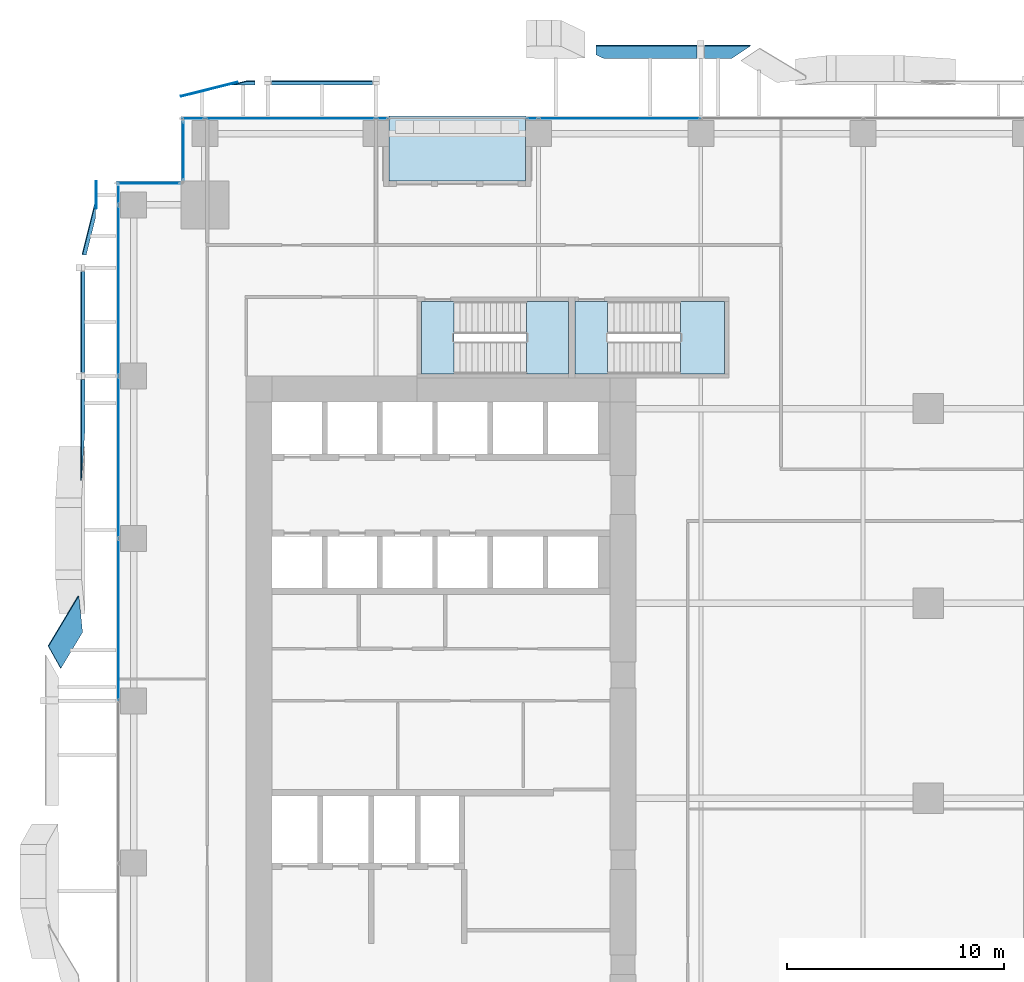
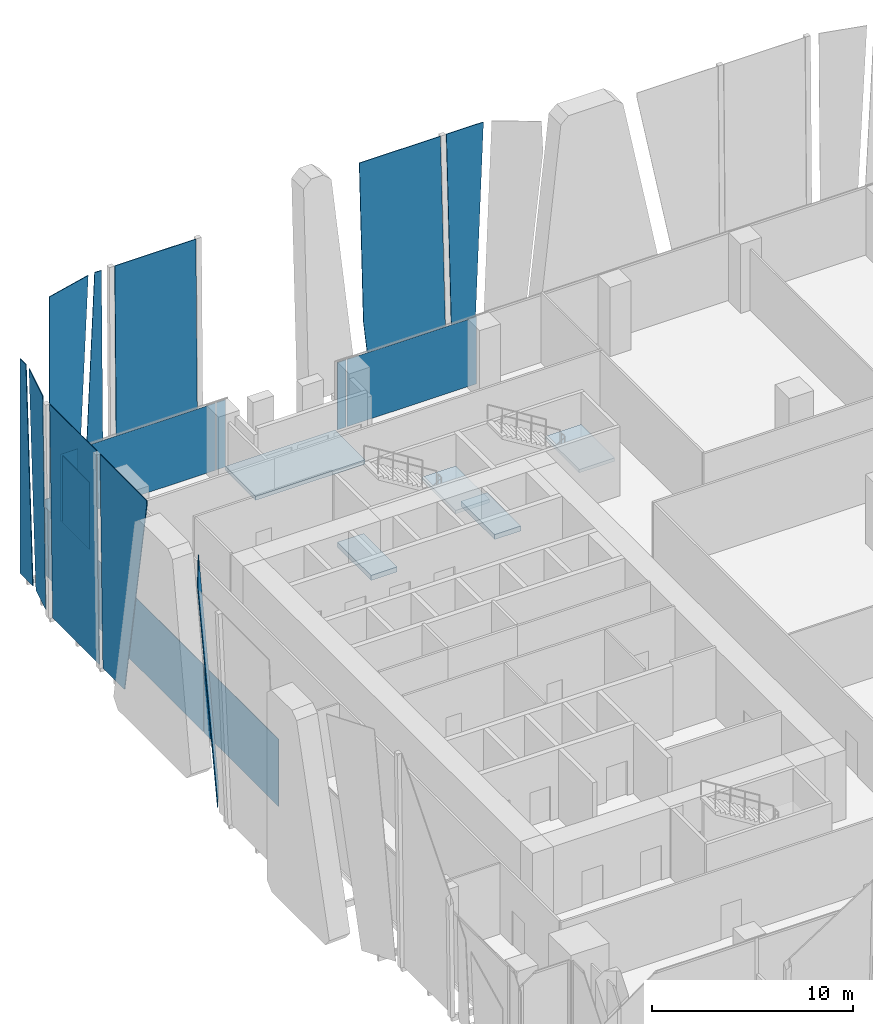
# One storey, part 24 of 34: 21 plates, 5 slabs, 7 elements without a shape of their own.
"""IFC4 building model written with IfcOpenShell, lengths in metres."""

import ifcopenshell
import ifcopenshell.guid

model = None  # the IFC model being written
_history = None  # IfcOwnerHistory: only IFC2X3 demands one
_inside = {}  # id of a spatial element -> (the spatial element, [elements in it])
_under = {}  # id of a project, library or spatial element -> (it, [spatial elements below it])
_declared = {}  # id of a project -> (the project, [libraries it declares])
_typed = {}  # id of a type object -> (the type object, [elements of that type])
_made_of = {}  # id of a material, layer set ... -> (it, [elements and type objects made of it])


def new_model(schema):
    """Start an empty IFC model of exactly this schema.

    Asked for "IFC4X3", IfcOpenShell would pick the latest addendum, in which some entities
    have other attributes; the version numbers below select the first issue.
    IFC2X3 requires an IfcOwnerHistory on every rooted entity: one is made here for all.
    """
    global model, _history
    if schema == "IFC4X3":
        model = ifcopenshell.file(schema_version=(4, 3, 0, 0))
    else:
        model = ifcopenshell.file(schema=schema)
    _inside.clear()
    _under.clear()
    _declared.clear()
    _typed.clear()
    _made_of.clear()
    _history = None
    if model.schema == "IFC2X3":
        org = make("IfcOrganization", Name="unknown")
        user = make(
            "IfcPersonAndOrganization",
            ThePerson=make("IfcPerson", FamilyName="unknown"),
            TheOrganization=org,
        )
        app = make(
            "IfcApplication",
            ApplicationDeveloper=org,
            Version="unknown",
            ApplicationFullName="unknown",
            ApplicationIdentifier="unknown",
        )
        _history = make(
            "IfcOwnerHistory",
            OwningUser=user,
            OwningApplication=app,
            ChangeAction="ADDED",
            CreationDate=0,
        )
    return model


def make(cls, **values):
    """One entity of the class cls with the attributes given. An attribute that is None is left unset."""
    return model.create_entity(
        cls, **{name: value for name, value in values.items() if value is not None}
    )


def rooted(cls, **values):
    """An entity with a GlobalId (a new one), such as an element, a storey or a relation."""
    return make(cls, GlobalId=ifcopenshell.guid.new(), OwnerHistory=_history, **values)


def si_unit(unit_type, name, prefix=None):
    """IfcSIUnit, for example si_unit("LENGTHUNIT", "METRE", prefix="MILLI")."""
    return make("IfcSIUnit", UnitType=unit_type, Prefix=prefix, Name=name)


def assignment(units):
    """IfcUnitAssignment: the units of a project."""
    return None if units is None else make("IfcUnitAssignment", Units=units)


def point(xyz):
    """IfcCartesianPoint."""
    return None if xyz is None else make("IfcCartesianPoint", Coordinates=xyz)


def direction(xyz):
    """IfcDirection."""
    return None if xyz is None else make("IfcDirection", DirectionRatios=xyz)


def frame(location, z_axis=None, x_axis=None):
    """IfcAxis2Placement3D, a coordinate frame: its origin and axes. An axis left out is left unset."""
    return make(
        "IfcAxis2Placement3D",
        Location=point(location),
        Axis=direction(z_axis),
        RefDirection=direction(x_axis),
    )


def frame_2d(location, x_axis=None):
    """IfcAxis2Placement2D, a coordinate frame in the plane: its origin and x axis."""
    return make(
        "IfcAxis2Placement2D", Location=point(location), RefDirection=direction(x_axis)
    )


def origin():
    """The frame at (0, 0, 0) with its axes left unset."""
    return frame((0.0, 0.0, 0.0))


def origin_2d():
    """The frame at (0, 0) in the plane with its x axis left unset."""
    return frame_2d((0.0, 0.0))


def place(relative_to, where):
    """IfcLocalPlacement: puts the frame where relative to a parent placement (None: the world)."""
    return make(
        "IfcLocalPlacement", PlacementRelTo=relative_to, RelativePlacement=where
    )


def context(
    kind, dimensions, precision=None, world=None, true_north=None, identifier=None
):
    """IfcGeometricRepresentationContext, for example the 3D "Model" context."""
    return make(
        "IfcGeometricRepresentationContext",
        ContextIdentifier=identifier,
        ContextType=kind,
        CoordinateSpaceDimension=dimensions,
        Precision=precision,
        WorldCoordinateSystem=world,
        TrueNorth=true_north,
    )


def subcontext(parent, identifier, kind, view, scale=None):
    """IfcGeometricRepresentationSubContext, for example "Body" below "Model"."""
    return make(
        "IfcGeometricRepresentationSubContext",
        ContextIdentifier=identifier,
        ContextType=kind,
        ParentContext=parent,
        TargetScale=scale,
        TargetView=view,
    )


def project(units=None, contexts=None):
    """IfcProject with its units and contexts."""
    return rooted(
        "IfcProject",
        Name="project",
        RepresentationContexts=contexts,
        UnitsInContext=assignment(units),
    )


def spatial(cls, under=None, at=None, **own):
    """A site, building, storey or space (cls), placed at a placement, below another one or the project."""
    s = rooted(cls, ObjectPlacement=at, **own)
    if under is not None:
        _under.setdefault(under.id(), (under, []))[1].append(s)
    return s


def polyline(points):
    """IfcPolyline through the points."""
    return make("IfcPolyline", Points=[point(p) for p in points])


def profile(cls, at=None, kind="AREA", **sizes):
    """A parametric profile (cls). Its sizes go by their IFC names, for example OverallWidth=200.0."""
    return make(cls, ProfileType=kind, Position=at, **sizes)


def rectangle(**sizes):
    """IfcRectangleProfileDef."""
    return profile("IfcRectangleProfileDef", **sizes)


def outline(outer, holes=None, kind="AREA"):
    """IfcArbitraryClosedProfileDef: a profile drawn as a closed curve; with holes, ...WithVoids."""
    if holes is None:
        return make("IfcArbitraryClosedProfileDef", ProfileType=kind, OuterCurve=outer)
    return make(
        "IfcArbitraryProfileDefWithVoids",
        ProfileType=kind,
        OuterCurve=outer,
        InnerCurves=holes,
    )


def extrude(swept, where, along, depth):
    """IfcExtrudedAreaSolid: the profile swept, set in the frame where, extruded along a direction by depth."""
    return make(
        "IfcExtrudedAreaSolid",
        SweptArea=swept,
        Position=where,
        ExtrudedDirection=direction(along),
        Depth=depth,
    )


def shape(context_of_items, identifier, shape_type, items):
    """IfcShapeRepresentation: the items that make up one representation, for example the "Body"."""
    return make(
        "IfcShapeRepresentation",
        ContextOfItems=context_of_items,
        RepresentationIdentifier=identifier,
        RepresentationType=shape_type,
        Items=items,
    )


def source(mapping_origin, context_of_items, identifier, shape_type, items):
    """IfcRepresentationMap: a shape defined once, which mapped items show again and again."""
    return make(
        "IfcRepresentationMap",
        MappingOrigin=mapping_origin,
        MappedRepresentation=shape(context_of_items, identifier, shape_type, items),
    )


def transform(
    local_origin,
    x_axis=None,
    y_axis=None,
    z_axis=None,
    scale=None,
    scale2=None,
    scale3=None,
    uniform=True,
):
    """IfcCartesianTransformationOperator3D, or its non-uniform kind. x_axis, y_axis, z_axis: its Axis1, 2, 3."""
    if uniform:
        return make(
            "IfcCartesianTransformationOperator3D",
            Axis1=direction(x_axis),
            Axis2=direction(y_axis),
            LocalOrigin=point(local_origin),
            Scale=scale,
            Axis3=direction(z_axis),
        )
    return make(
        "IfcCartesianTransformationOperator3DnonUniform",
        Axis1=direction(x_axis),
        Axis2=direction(y_axis),
        LocalOrigin=point(local_origin),
        Scale=scale,
        Axis3=direction(z_axis),
        Scale2=scale2,
        Scale3=scale3,
    )


def mapped(mapping_source, mapping_target):
    """IfcMappedItem: shows the shape of a source again, moved by a transform."""
    return make(
        "IfcMappedItem", MappingSource=mapping_source, MappingTarget=mapping_target
    )


def material(Name=None, Category=None):
    """IfcMaterial."""
    return make("IfcMaterial", Name=Name, Category=Category)


def layer(
    of_material, thickness, ventilated=None, Name=None, Category=None, Priority=None
):
    """IfcMaterialLayer: one layer of a wall or slab, of a material (None: an air gap)."""
    return make(
        "IfcMaterialLayer",
        Material=of_material,
        LayerThickness=thickness,
        IsVentilated=ventilated,
        Name=Name,
        Category=Category,
        Priority=Priority,
    )


def layer_set(layers, Name=None):
    """IfcMaterialLayerSet."""
    return make("IfcMaterialLayerSet", MaterialLayers=layers, LayerSetName=Name)


def made_of(thing, what):
    """Note that an element or type object is made of a material, layer set ...; save() writes the relation."""
    if what is not None:
        _made_of.setdefault(what.id(), (what, []))[1].append(thing)
    return thing


def type_object(cls, material=None, **own):
    """A type object (cls), such as IfcWallType, which elements share."""
    return made_of(rooted(cls, **own), material)


def element(
    cls,
    number,
    at=None,
    inside=None,
    cuts=None,
    type_object=None,
    material=None,
    context=None,
    identifier="Body",
    shape_type=None,
    held_by="IfcProductDefinitionShape",
    body=None,
    shapes=None,
    **own,
):
    """One element of the class cls, such as IfcWall. Its Tag is "e" and its number.

    at: its placement. inside: the storey or other place that contains it. cuts: it is an
    opening in that element (IfcRelVoidsElement). A single representation is given by context,
    identifier, shape_type and body (its items); several are given by shapes. held_by: the class
    of the entity that holds the representations. save() writes the other relations.
    """
    e = rooted(cls, Tag="e%d" % number, ObjectPlacement=at, **own)
    if body is not None:
        shapes = [shape(context, identifier, shape_type, body)]
    if shapes is not None:
        e.Representation = make(held_by, Representations=shapes)
    if inside is not None:
        _inside.setdefault(inside.id(), (inside, []))[1].append(e)
    if cuts is not None:
        rooted(
            "IfcRelVoidsElement", RelatingBuildingElement=cuts, RelatedOpeningElement=e
        )
    if type_object is not None:
        _typed.setdefault(type_object.id(), (type_object, []))[1].append(e)
    return made_of(e, material)


def aggregate(whole, parts):
    """IfcRelAggregates: a whole, such as a stair, and the parts it consists of."""
    return rooted("IfcRelAggregates", RelatingObject=whole, RelatedObjects=parts)


def save(model, path):
    """Write the relations noted so far, then the file.

    IfcRelAggregates (storeys below a building ...), IfcRelContainedInSpatialStructure (elements
    in a storey), IfcRelDefinesByType, IfcRelAssociatesMaterial and IfcRelDeclares: one each for
    every whole, place, type object, material and project.
    """
    for whole, parts in _under.values():
        aggregate(whole, parts)
    for where, things in _inside.values():
        rooted(
            "IfcRelContainedInSpatialStructure",
            RelatedElements=things,
            RelatingStructure=where,
        )
    for kind, things in _typed.values():
        rooted("IfcRelDefinesByType", RelatedObjects=things, RelatingType=kind)
    for what, things in _made_of.values():
        rooted("IfcRelAssociatesMaterial", RelatedObjects=things, RelatingMaterial=what)
    for by, libraries in _declared.values():
        rooted("IfcRelDeclares", RelatingContext=by, RelatedDefinitions=libraries)
    model.write(path)


model = new_model("IFC4")

# Units and contexts
model_context = context("Model", 3, precision=1e-05, world=origin(), true_north=direction((0.0, 1.0)))
body_context = subcontext(model_context, "Body", "Model", "MODEL_VIEW")
ifc_project = project(units=[si_unit("LENGTHUNIT", "METRE"), si_unit("AREAUNIT", "SQUARE_METRE"), si_unit("VOLUMEUNIT", "CUBIC_METRE"), si_unit("PLANEANGLEUNIT", "RADIAN"), si_unit("MASSUNIT", "GRAM", prefix="KILO")], contexts=[model_context])

# Site, building, storey
site_placement = place(None, origin())
site = spatial("IfcSite", under=ifc_project, at=site_placement, CompositionType="ELEMENT")
building_placement = place(site_placement, origin())
building = spatial("IfcBuilding", under=site, at=building_placement, Name="Khomas Fold Tower", CompositionType="ELEMENT")
storey_placement = place(building_placement, frame((0.0, 0.0, 73.5)))
storey = spatial("IfcBuildingStorey", under=building, at=storey_placement, Name="L15", CompositionType="ELEMENT", Elevation=73.5)

# Plates
ifc_material_1 = material(Name="Clear laminated glass", Category="glass")
ifc_layer_1 = layer(ifc_material_1, 0.0400390625)
ifc_layer_set_1 = layer_set([ifc_layer_1], Name="Clear laminated glass")
plate_type_1 = type_object("IfcPlateType", Name="SK-Clear laminated glass leaf", PredefinedType="SHEET", material=ifc_layer_set_1)
plate_1_placement = place(storey_placement, frame((6.39990234375, 55.43212890625, 0.0), z_axis=(0.0, -0.999913772879, 0.013131900334), x_axis=(-1.0, 0.0, 0.0)))
element("IfcPlate", 1, at=plate_1_placement, inside=storey, type_object=plate_type_1, Name="OUTER SKIN glass L15 NG098-1", PredefinedType="SHEET", context=body_context, shape_type="SweptSolid", body=[
    extrude(outline(polyline([(0.0, 0.0), (1.071044921875, 0.0), (0.38525390625, -13.051174193298111), (0.0, -13.051174193298111), (0.0, 0.0)])), origin(), (0.0, 0.0, -1.0), 0.0400390625),
])
plate_2_placement = place(storey_placement, frame((5.604248046875, 55.59228515625, 13.050048828125), z_axis=(-0.242572432169, 0.970133297615, 3.296233e-06), x_axis=(-0.052473116038, -0.013117001555, -0.998536186807)))
element("IfcPlate", 2, at=plate_2_placement, inside=storey, type_object=plate_type_1, Name="OUTER SKIN glass L15 NG098-2", PredefinedType="SHEET", context=body_context, shape_type="SweptSolid", body=[
    extrude(outline(polyline([(0.0, 0.0), (13.0691796658808, 0.0), (13.176684243161041, 1.9846865605470894), (0.14573824867735352, 2.6905342094387286), (0.0, 0.0)])), origin(), (0.0, 0.0, -1.0), 0.0400390625),
])
plate_3_placement = place(storey_placement, frame((7.169921875, 55.43212890625, 0.0), z_axis=(0.0, -0.999913772879, 0.013131900334), x_axis=(0.0, 0.013131900334, 0.999913772879)))
element("IfcPlate", 3, at=plate_3_placement, inside=storey, type_object=plate_type_1, Name="OUTER SKIN glass L15 NG099-4", PredefinedType="SHEET", context=body_context, shape_type="SweptSolid", body=[
    extrude(outline(polyline([(0.0, 0.0), (13.051174193298111, 0.0), (13.051174193298111, -4.660156249999999), (0.0, -4.660156249999999), (0.0, 0.0)])), origin(), (0.0, 0.0, -1.0), 0.0400390625),
])
plate_4_placement = place(storey_placement, frame((22.169921875, 56.833740234375, 3.65283203125), z_axis=(7.084823e-06, -0.999042347275, 0.043753723277), x_axis=(4.8e-11, 0.043753723278, 0.9990423473)))
element("IfcPlate", 4, at=plate_4_placement, inside=storey, type_object=plate_type_1, Name="OUTER SKIN glass L15 NG102-6", PredefinedType="SHEET", context=body_context, shape_type="SweptSolid", body=[
    extrude(outline(polyline([(0.0, 0.0), (9.40622748227122, 4.235164736271502e-22), (9.40622748249474, -4.660156249883042), (-3.6563306367526307, -4.660156250526247), (-3.656330636960227, -0.3320312506348711), (0.0, 0.0)])), origin(), (0.0, 0.0, -1.0), 0.0400390625),
])
plate_5_placement = place(storey_placement, frame((29.30322265625, 57.245361328125, 13.050048828125), z_axis=(0.0, -0.99904235518, 0.043753543365), x_axis=(-0.065572988352, -0.04365937592, -0.996892191811)))
element("IfcPlate", 5, at=plate_5_placement, inside=storey, type_object=plate_type_1, Name="OUTER SKIN glass L15 NG103-8", PredefinedType="SHEET", context=body_context, shape_type="SweptSolid", body=[
    extrude(outline(polyline([(0.0, 0.0), (13.090732313213934, 1.1102230246251565e-16), (13.174331469751221, -1.2721584677725872), (0.13988690728127356, -2.128709439179791), (0.0, 0.0)])), origin(), (0.0, 0.0, -1.0), 0.0400390625),
])
plate_6_placement = place(storey_placement, frame((-1.55322265625, 30.161865234375, 0.0), z_axis=(0.854885609779, -0.512977330359, 0.077619924832), x_axis=(-0.514529561749, -0.857472641012, -1.392647e-06)))
element("IfcPlate", 6, at=plate_6_placement, inside=storey, type_object=plate_type_1, Name="OUTER SKIN glass L15 WG103-10", PredefinedType="SHEET", context=body_context, shape_type="SweptSolid", body=[
    extrude(outline(polyline([(0.0, 0.0), (1.944055372880121, 0.0), (1.3615849908004687, -13.089540864823011), (-1.3358750579037981, -13.089535624452362), (-1.3434118876299297, -12.927913980051013), (0.0, 0.0)])), origin(), (0.0, 0.0, -1.0), 0.0400390625),
])
plate_7_placement = place(storey_placement, frame((-1.43212890625, 39.673583984375, 0.0), z_axis=(0.999913789306, -6.529374e-06, 0.013130647884), x_axis=(-0.012887240801, -0.192141976993, 0.981282517781)))
element("IfcPlate", 7, at=plate_7_placement, inside=storey, type_object=plate_type_1, Name="OUTER SKIN glass L15 WG105-11", PredefinedType="SHEET", context=body_context, shape_type="SweptSolid", body=[
    extrude(outline(polyline([(0.0, 0.0), (13.030271410999918, -4.440892098500626e-16), (13.289052060554168, -0.05066669134321611), (12.393640425582625, -4.623990895622395), (-0.4143530475536273, -2.116312484094614), (0.0, 0.0)])), origin(), (0.0, 0.0, -1.0), 0.0400390625),
])
plate_8_placement = place(storey_placement, frame((-1.43212890625, 42.169921875, 0.0), z_axis=(0.999913772879, 0.0, 0.013131900334), x_axis=(-0.013131900334, 0.0, 0.999913772879)))
element("IfcPlate", 8, at=plate_8_placement, inside=storey, type_object=plate_type_1, Name="OUTER SKIN glass L15 WG106-13", PredefinedType="SHEET", context=body_context, shape_type="SweptSolid", body=[
    extrude(outline(polyline([(0.0, 0.0), (13.051174193298111, 0.0), (13.051174193298111, -4.660156249999999), (0.0, -4.660156249999999), (0.0, 0.0)])), origin(), (0.0, 0.0, -1.0), 0.0400390625),
])
plate_9_placement = place(storey_placement, frame((-0.93994140625, 49.728759765625, 0.0), z_axis=(-1.0, 0.0, 0.0), x_axis=(0.0, 0.052478427046, 0.998622057985)))
element("IfcPlate", 9, at=plate_9_placement, inside=storey, type_object=plate_type_1, Name="OUTER SKIN glass L15 WG107-15", PredefinedType="SHEET", context=body_context, shape_type="SweptSolid", body=[
    extrude(outline(polyline([(0.0, 0.0), (13.068055851333002, 0.0), (13.098779305448211, 0.584642503674011), (0.06671268789737123, 1.2694885390452775), (0.0, 0.0)])), origin(), (0.0, 0.0, -1.0), 0.0400390625),
])
plate_10_placement = place(storey_placement, frame((-0.949951171875, 49.328125, 0.0), z_axis=(0.970053635989, -0.242556293773, 0.012743141467), x_axis=(-0.242575994165, -0.970132406971, 3.16988e-07)))
element("IfcPlate", 10, at=plate_10_placement, inside=storey, type_object=plate_type_1, Name="OUTER SKIN glass L15 WG107-16", PredefinedType="SHEET", context=body_context, shape_type="SweptSolid", body=[
    extrude(outline(polyline([(0.0, 0.0), (1.7812394253443982, 8.673617379884035e-19), (1.822817865743085, -13.051107962741758), (-0.6653039519559327, -13.05110931618869), (0.0, 0.0)])), origin(), (0.0, 0.0, -1.0), 0.0400390625),
])

# Curtain wall, plate
ifc_material_2 = material(Name="Aluminium framed double glazing", Category="aluminium")
curtain_wall_type = type_object("IfcCurtainWallType", Name="SK-Unitised clear-glass wall, growing floors CW1", PredefinedType="NOTDEFINED", material=ifc_material_2)
curtain_wall_1_placement = place(storey_placement, origin())
curtain_wall_1 = element("IfcCurtainWall", 11, at=curtain_wall_1_placement, inside=storey, type_object=curtain_wall_type, Name="CW1 run L15 09-0", PredefinedType="NOTDEFINED")
ifc_material_3 = material(Name="Clear double glazed unit")
ifc_layer_2 = layer(ifc_material_3, 0.031982421875)
ifc_layer_set_2 = layer_set([ifc_layer_2], Name="Clear double glazed unit")
plate_type_2 = type_object("IfcPlateType", Name="SK-Unitised clear-glass wall, growing floors glass panel CW1-P", PredefinedType="CURTAIN_PANEL", material=ifc_layer_set_2)
shared_shape_1 = source(origin(), body_context, "Body", "SweptSolid", [
    extrude(rectangle(XDim=0.81005859375, YDim=0.031982421875, at=origin_2d()), origin(), (0.0, 0.0, 1.0), 4.080078125),
])
plate_11_placement = place(storey_placement, frame((0.10009765625, 50.3349609375, 0.0), z_axis=(0.0, 0.0, 1.0), x_axis=(0.0, -1.0, 0.0)))
plate_11 = element("IfcPlate", 12, at=plate_11_placement, type_object=plate_type_2, Name="CW1 glass panel 1", PredefinedType="CURTAIN_PANEL", context=body_context, shape_type="MappedRepresentation", body=[
    mapped(shared_shape_1, transform((0.0, 0.0, 0.0))),
])

curtain_wall_2_placement = place(storey_placement, origin())
curtain_wall_2 = element("IfcCurtainWall", 13, at=curtain_wall_2_placement, inside=storey, type_object=curtain_wall_type, Name="CW1 run L15 06-1", PredefinedType="NOTDEFINED")
shared_shape_2 = source(origin(), body_context, "Body", "SweptSolid", [
    extrude(rectangle(XDim=7.840087890625, YDim=0.031982421875, at=origin_2d()), origin(), (0.0, 0.0, 1.0), 4.080078125),
])
plate_12_placement = place(storey_placement, frame((8.050048828125, 53.89990234375, 0.0), z_axis=(0.0, 0.0, 1.0), x_axis=(-1.0, 0.0, 0.0)))
plate_12 = element("IfcPlate", 14, at=plate_12_placement, type_object=plate_type_2, Name="CW1 glass panel 2", PredefinedType="CURTAIN_PANEL", context=body_context, shape_type="MappedRepresentation", body=[
    mapped(shared_shape_2, transform((0.0, 0.0, 0.0))),
])

# Plate
plate_13_placement = place(storey_placement, frame((0.10009765625, 45.949951171875, 0.0), z_axis=(0.0, 0.0, 1.0), x_axis=(0.0, -1.0, 0.0)))
plate_13 = element("IfcPlate", 15, at=plate_13_placement, type_object=plate_type_2, Name="CW1 glass panel 2", PredefinedType="CURTAIN_PANEL", context=body_context, shape_type="MappedRepresentation", body=[
    mapped(shared_shape_2, transform((0.0, 0.0, 0.0))),
])

# Curtain wall, plate
curtain_wall_3_placement = place(storey_placement, origin())
curtain_wall_3 = element("IfcCurtainWall", 16, at=curtain_wall_3_placement, inside=storey, type_object=curtain_wall_type, Name="CW1 run L15 06-0", PredefinedType="NOTDEFINED")
shared_shape_3 = source(origin(), body_context, "Body", "SweptSolid", [
    extrude(rectangle(XDim=7.43994140625, YDim=0.031982421875, at=origin_2d()), origin(), (0.0, 0.0, 1.0), 4.080078125),
])
plate_14_placement = place(storey_placement, frame((23.25, 53.89990234375, 0.0), z_axis=(0.0, 0.0, 1.0), x_axis=(-1.0, 0.0, 0.0)))
plate_14 = element("IfcPlate", 17, at=plate_14_placement, type_object=plate_type_2, Name="CW1 glass panel 5", PredefinedType="CURTAIN_PANEL", context=body_context, shape_type="MappedRepresentation", body=[
    mapped(shared_shape_3, transform((0.0, 0.0, 0.0))),
])

# Plate
plate_15_placement = place(storey_placement, frame((0.10009765625, 38.25, 0.0), z_axis=(0.0, 0.0, 1.0), x_axis=(0.0, -1.0, 0.0)))
plate_15 = element("IfcPlate", 18, at=plate_15_placement, type_object=plate_type_2, Name="CW1 glass panel 3", PredefinedType="CURTAIN_PANEL", context=body_context, shape_type="MappedRepresentation", body=[
    mapped(shared_shape_3, transform((0.0, 0.0, 0.0))),
])

plate_16_placement = place(storey_placement, frame((0.10009765625, 30.75, 0.0), z_axis=(0.0, 0.0, 1.0), x_axis=(0.0, -1.0, 0.0)))
plate_16 = element("IfcPlate", 19, at=plate_16_placement, type_object=plate_type_2, Name="CW1 glass panel 4", PredefinedType="CURTAIN_PANEL", context=body_context, shape_type="MappedRepresentation", body=[
    mapped(shared_shape_3, transform((0.0, 0.0, 0.0))),
])

aggregate(curtain_wall_1, [plate_11, plate_13, plate_15, plate_16])

shared_shape_4 = source(origin(), body_context, "Body", "SweptSolid", [
    extrude(rectangle(XDim=1.010009765625, YDim=0.031982421875, at=origin_2d()), origin(), (0.0, 0.0, 1.0), 4.080078125),
])
plate_17_placement = place(storey_placement, frame((3.56494140625, 53.89990234375, 0.0), z_axis=(0.0, 0.0, 1.0), x_axis=(-1.0, 0.0, 0.0)))
plate_17 = element("IfcPlate", 20, at=plate_17_placement, type_object=plate_type_2, Name="CW1 glass panel 3", PredefinedType="CURTAIN_PANEL", context=body_context, shape_type="MappedRepresentation", body=[
    mapped(shared_shape_4, transform((0.0, 0.0, 0.0))),
])

# Curtain wall, plate
curtain_wall_4_placement = place(storey_placement, origin())
curtain_wall_4 = element("IfcCurtainWall", 21, at=curtain_wall_4_placement, inside=storey, type_object=curtain_wall_type, Name="CW1 corner return L15 07", PredefinedType="NOTDEFINED")
shared_shape_5 = source(origin(), body_context, "Body", "SweptSolid", [
    extrude(rectangle(XDim=2.679931640625, YDim=0.031982421875, at=origin_2d()), origin(), (0.0, 0.0, 1.0), 4.080078125),
])
plate_18_placement = place(storey_placement, frame((3.10009765625, 52.39990234375, 0.0), z_axis=(0.0, 0.0, 1.0), x_axis=(0.0, -1.0, 0.0)))
plate_18 = element("IfcPlate", 22, at=plate_18_placement, type_object=plate_type_2, Name="CW1 glass panel 1", PredefinedType="CURTAIN_PANEL", context=body_context, shape_type="MappedRepresentation", body=[
    mapped(shared_shape_5, transform((0.0, 0.0, 0.0))),
])
aggregate(curtain_wall_4, [plate_18])

curtain_wall_5_placement = place(storey_placement, origin())
curtain_wall_5 = element("IfcCurtainWall", 23, at=curtain_wall_5_placement, inside=storey, type_object=curtain_wall_type, Name="CW1 corner return L15 08", PredefinedType="NOTDEFINED")
shared_shape_6 = source(origin(), body_context, "Body", "SweptSolid", [
    extrude(rectangle(XDim=2.8798828125, YDim=0.031982421875, at=origin_2d()), origin(), (0.0, 0.0, 1.0), 4.080078125),
])
plate_19_placement = place(storey_placement, frame((1.5, 50.89990234375, 0.0), z_axis=(0.0, 0.0, 1.0), x_axis=(-1.0, 0.0, 0.0)))
plate_19 = element("IfcPlate", 24, at=plate_19_placement, type_object=plate_type_2, Name="CW1 glass panel 1", PredefinedType="CURTAIN_PANEL", context=body_context, shape_type="MappedRepresentation", body=[
    mapped(shared_shape_6, transform((0.0, 0.0, 0.0))),
])
aggregate(curtain_wall_5, [plate_19])

# Plate
shared_shape_7 = source(origin(), body_context, "Body", "SweptSolid", [
    extrude(rectangle(XDim=0.510009765625, YDim=0.031982421875, at=origin_2d()), origin(), (0.0, 0.0, 1.0), 4.080078125),
])
plate_20_placement = place(storey_placement, frame((19.215087890625, 53.89990234375, 0.0), z_axis=(0.0, 0.0, 1.0), x_axis=(-1.0, 0.0, 0.0)))
plate_20 = element("IfcPlate", 25, at=plate_20_placement, type_object=plate_type_2, Name="CW1 glass panel 6", PredefinedType="CURTAIN_PANEL", context=body_context, shape_type="MappedRepresentation", body=[
    mapped(shared_shape_7, transform((0.0, 0.0, 0.0))),
])

aggregate(curtain_wall_3, [plate_14, plate_20])

plate_21_placement = place(storey_placement, frame((12.284912109375, 53.89990234375, 0.0), z_axis=(0.0, 0.0, 1.0), x_axis=(-1.0, 0.0, 0.0)))
plate_21 = element("IfcPlate", 26, at=plate_21_placement, type_object=plate_type_2, Name="CW1 glass panel 1", PredefinedType="CURTAIN_PANEL", context=body_context, shape_type="MappedRepresentation", body=[
    mapped(shared_shape_7, transform((0.0, 0.0, 0.0))),
])

aggregate(curtain_wall_2, [plate_21, plate_12, plate_17])

# Slab
ifc_material_4 = material(Name="Concrete C40/50", Category="concrete")
ifc_layer_3 = layer(ifc_material_4, 0.2548828125)
ifc_layer_set_3 = layer_set([ifc_layer_3], Name="Concrete C40/50")
slab_type_1 = type_object("IfcSlabType", Name="BL-Balcony deck 255", PredefinedType="FLOOR", material=ifc_layer_set_3)
shared_shape_8 = source(origin(), body_context, "Body", "SweptSolid", [
    extrude(outline(polyline([(12.60009765625, 51.0), (18.89990234375, 51.0), (18.89990234375, 54.0), (12.60009765625, 54.0), (12.60009765625, 51.0)])), origin(), (0.0, 0.0, 1.0), 0.255126953125),
])
slab_1_placement = place(storey_placement, frame((0.0, 0.0, -0.300048828125)))
element("IfcSlab", 27, at=slab_1_placement, inside=storey, type_object=slab_type_1, Name="Balcony deck BAL-L15-N1", PredefinedType="FLOOR", context=body_context, shape_type="MappedRepresentation", body=[
    mapped(shared_shape_8, transform((0.0, 0.0, 0.0))),
])

# Stair, slab
ifc_material_5 = material(Name="Concrete C40/50", Category="concrete")
stair_type_1 = type_object("IfcStairType", Name="Stair ST1", PredefinedType="HALF_TURN_STAIR", material=ifc_material_5)
stair_1_placement = place(storey_placement, origin())
stair_1 = element("IfcStair", 28, at=stair_1_placement, inside=storey, type_object=stair_type_1, Name="L15 ST1", PredefinedType="HALF_TURN_STAIR")
ifc_material_6 = material(Name="Concrete C40/50", Category="concrete")
ifc_layer_4 = layer(ifc_material_6, 0.199951171875)
ifc_layer_set_4 = layer_set([ifc_layer_4], Name="Concrete C40/50")
slab_type_2 = type_object("IfcSlabType", Name="Stair landing 200", PredefinedType="LANDING", material=ifc_layer_set_4)
shared_shape_9 = source(origin(), body_context, "Body", "SweptSolid", [
    extrude(outline(polyline([(18.9599609375, 42.10009765625), (20.89990234375, 42.10009765625), (20.89990234375, 45.449951171875), (18.9599609375, 45.449951171875), (18.9599609375, 42.10009765625)])), origin(), (0.0, 0.0, 1.0), 0.199951171875),
])
slab_2_placement = place(storey_placement, frame((0.0, 0.0, 2.050048828125)))
slab_2 = element("IfcSlab", 29, at=slab_2_placement, type_object=slab_type_2, Name="ST1 landing 1", PredefinedType="LANDING", context=body_context, shape_type="MappedRepresentation", body=[
    mapped(shared_shape_9, transform((0.0, 0.0, 0.0))),
])
aggregate(stair_1, [slab_2])

# Slab
ifc_material_7 = material(Name="Concrete C40/50", Category="concrete")
ifc_layer_5 = layer(ifc_material_7, 0.300048828125)
ifc_layer_set_5 = layer_set([ifc_layer_5], Name="Concrete C40/50")
slab_type_3 = type_object("IfcSlabType", Name="Stair floor landing 300", PredefinedType="LANDING", material=ifc_layer_set_5)
shared_shape_10 = source(origin(), body_context, "Body", "SweptSolid", [
    extrude(outline(polyline([(15.60009765625, 42.10009765625), (14.10009765625, 42.10009765625), (14.10009765625, 45.449951171875), (15.60009765625, 45.449951171875), (15.60009765625, 42.10009765625)])), origin(), (0.0, 0.0, 1.0), 0.300048828125),
])
slab_3_placement = place(storey_placement, frame((0.0, 0.0, -0.300048828125)))
element("IfcSlab", 30, at=slab_3_placement, inside=storey, type_object=slab_type_3, Name="ST1 floor landing", PredefinedType="LANDING", context=body_context, shape_type="MappedRepresentation", body=[
    mapped(shared_shape_10, transform((0.0, 0.0, 0.0))),
])

# Stair, slab
ifc_material_8 = material(Name="Concrete C40/50", Category="concrete")
stair_type_2 = type_object("IfcStairType", Name="Stair ST3", PredefinedType="HALF_TURN_STAIR", material=ifc_material_8)
stair_2_placement = place(storey_placement, origin())
stair_2 = element("IfcStair", 31, at=stair_2_placement, inside=storey, type_object=stair_type_2, Name="L15 ST3", PredefinedType="HALF_TURN_STAIR")
shared_shape_11 = source(origin(), body_context, "Body", "SweptSolid", [
    extrude(outline(polyline([(26.06005859375, 42.10009765625), (28.10009765625, 42.10009765625), (28.10009765625, 45.449951171875), (26.06005859375, 45.449951171875), (26.06005859375, 42.10009765625)])), origin(), (0.0, 0.0, 1.0), 0.199951171875),
])
slab_4_placement = place(storey_placement, frame((0.0, 0.0, 2.050048828125)))
slab_4 = element("IfcSlab", 32, at=slab_4_placement, type_object=slab_type_2, Name="ST3 landing 1", PredefinedType="LANDING", context=body_context, shape_type="MappedRepresentation", body=[
    mapped(shared_shape_11, transform((0.0, 0.0, 0.0))),
])
aggregate(stair_2, [slab_4])

# Slab
shared_shape_12 = source(origin(), body_context, "Body", "SweptSolid", [
    extrude(outline(polyline([(22.699951171875, 42.10009765625), (21.199951171875, 42.10009765625), (21.199951171875, 45.449951171875), (22.699951171875, 45.449951171875), (22.699951171875, 42.10009765625)])), origin(), (0.0, 0.0, 1.0), 0.300048828125),
])
slab_5_placement = place(storey_placement, frame((0.0, 0.0, -0.300048828125)))
element("IfcSlab", 33, at=slab_5_placement, inside=storey, type_object=slab_type_3, Name="ST3 floor landing", PredefinedType="LANDING", context=body_context, shape_type="MappedRepresentation", body=[
    mapped(shared_shape_12, transform((0.0, 0.0, 0.0))),
])

save(model, "model.ifc")
